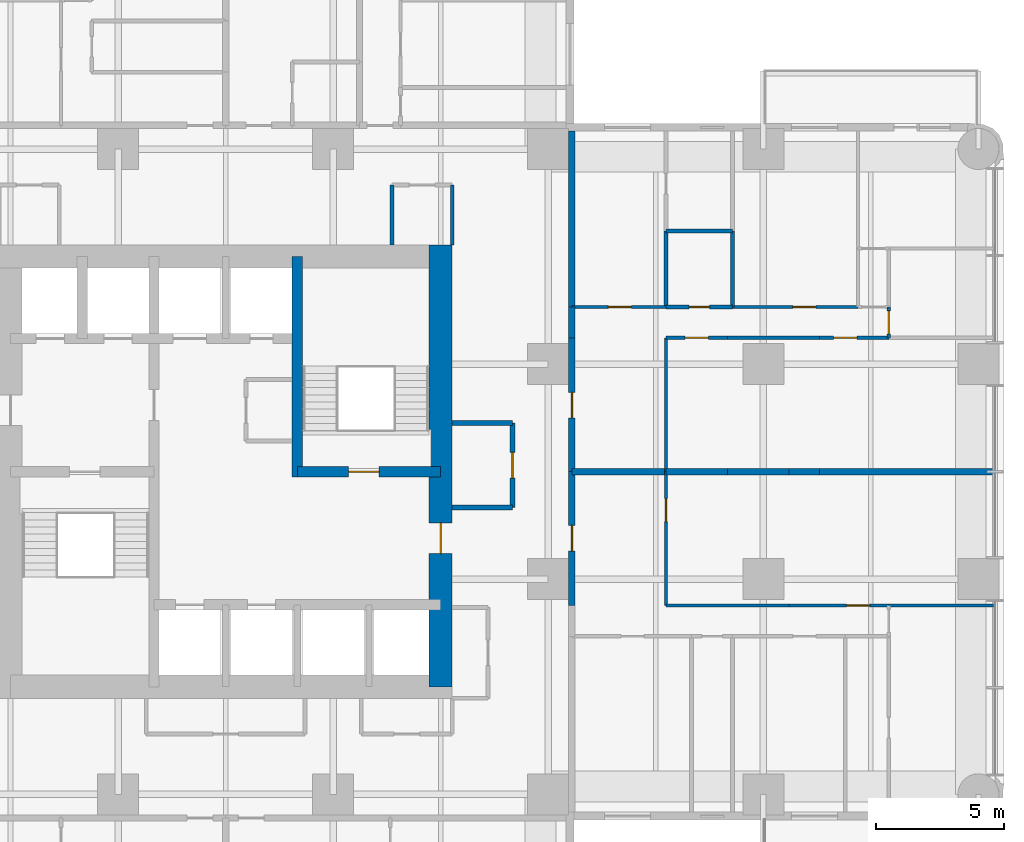
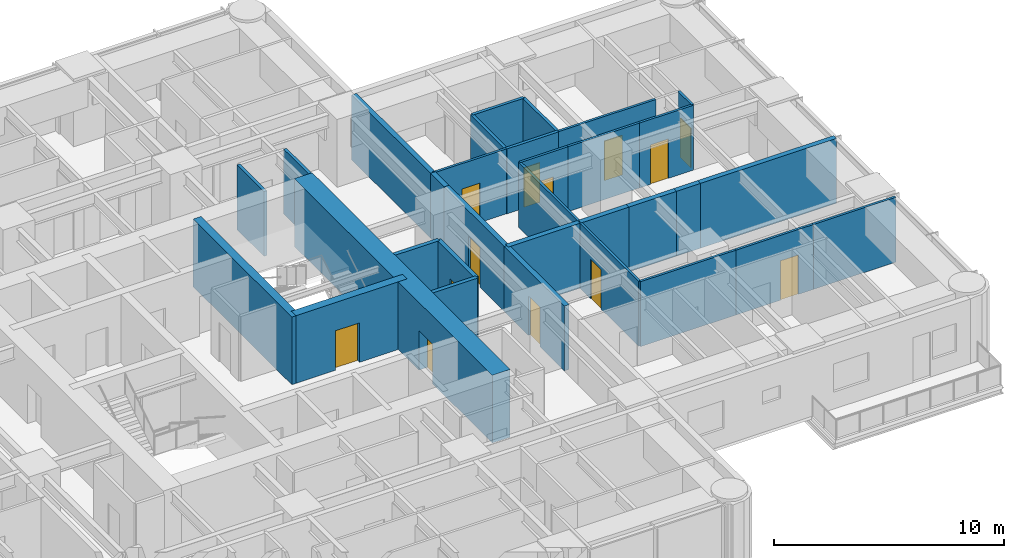
# One storey, part 10 of 15: 32 walls, 13 doors, 13 openings.
"""IFC4 building model written with IfcOpenShell, lengths in metres."""

from ifc_helpers import new_model, si_unit, direction, frame, frame_2d, origin, place, context, subcontext, project, spatial, rectangle, extrude, material, layer, layer_set, type_object, element, fill, save


model = new_model("IFC4")

# Units and contexts
model_context = context("Model", 3, precision=1e-05, world=origin(), true_north=direction((0.0, 1.0)))
body_context = subcontext(model_context, "Body", "Model", "MODEL_VIEW")
ifc_project = project(units=[si_unit("LENGTHUNIT", "METRE"), si_unit("AREAUNIT", "SQUARE_METRE"), si_unit("VOLUMEUNIT", "CUBIC_METRE"), si_unit("PLANEANGLEUNIT", "RADIAN"), si_unit("MASSUNIT", "GRAM", prefix="KILO")], contexts=[model_context])

# Site, building, storey
site_placement = place(None, origin())
site = spatial("IfcSite", under=ifc_project, at=site_placement, CompositionType="ELEMENT")
building_placement = place(site_placement, origin())
building = spatial("IfcBuilding", under=site, at=building_placement, Name="Torre Alcanfor", CompositionType="ELEMENT")
storey_placement = place(building_placement, frame((0.0, 0.0, 148.5)))
storey = spatial("IfcBuildingStorey", under=building, at=storey_placement, Name="L38", CompositionType="ELEMENT", Elevation=148.5)

# Wall, opening, door
ifc_material_1 = material(Name="Concrete block masonry, hollow blocks NMX-C-404 9 MPa", Category="masonry")
ifc_layer_1 = layer(ifc_material_1, 0.25)
ifc_layer_set_1 = layer_set([ifc_layer_1], Name="Apartment entrance wall 250 EI 60")
wall_type_1 = type_object("IfcWallType", Name="Apartment entrance wall 250 EI 60", PredefinedType="PARTITIONING", material=ifc_layer_set_1)
wall_1_placement = place(storey_placement, frame((42.925048828125, 34.62890625, 0.0), z_axis=(0.0, 0.0, 1.0), x_axis=(0.0, -1.0, 0.0)))
wall_1 = element("IfcWall", 1, at=wall_1_placement, inside=storey, type_object=wall_type_1, Name="Partition L38-CORR / L38-E1-ZAG", PredefinedType="PARTITIONING", context=body_context, shape_type="SweptSolid", body=[
    extrude(rectangle(XDim=5.22900390625, YDim=0.25, at=frame_2d((2.614501953125, 0.0))), origin(), (0.0, 0.0, 1.0), 3.449951171875),
])
opening_1_placement = place(wall_1_placement, frame((2.12890625, 0.0, 0.0)))
opening_1 = element("IfcOpeningElement", 2, at=opening_1_placement, cuts=wall_1, Name="Opening D-A1", PredefinedType="OPENING", context=body_context, shape_type="SweptSolid", body=[
    extrude(rectangle(XDim=1.0, YDim=2.10009765625, at=frame_2d((0.5, 1.050048828125))), frame((0.0, 0.135009765625, 0.0), z_axis=(0.0, -1.0, 0.0), x_axis=(1.0, 0.0, 0.0)), (0.0, 0.0, 1.0), 0.27001953125),
])
ifc_material_2 = material(Name="Galvanised steel sheet ASTM A653", Category="steel")
door_type_1 = type_object("IfcDoorType", Name="Apartment entrance door FD60 1000x2100", OperationType="SINGLE_SWING_LEFT", PredefinedType="DOOR", material=ifc_material_2)
door_1_placement = place(opening_1_placement, origin())
door_1 = element("IfcDoor", 3, at=door_1_placement, inside=storey, type_object=door_type_1, Name="Apartment entrance L38-E1", OperationType="SINGLE_SWING_RIGHT", OverallHeight=2.10009765625, OverallWidth=1.0, PredefinedType="DOOR", context=body_context, shape_type="SweptSolid", body=[
    extrude(rectangle(XDim=1.0, YDim=2.10009765625, at=frame_2d((0.5, 1.050048828125))), frame((0.0, 0.02490234375, 0.0), z_axis=(0.0, -1.0, 0.0), x_axis=(1.0, 0.0, 0.0)), (0.0, 0.0, 1.0), 0.050048828125),
])
fill(opening_1, door_1)

# Walls
wall_2_placement = place(storey_placement, frame((42.925048828125, 35.8291015625, 0.0), z_axis=(0.0, 0.0, 1.0), x_axis=(0.0, -1.0, 0.0)))
element("IfcWall", 4, at=wall_2_placement, inside=storey, type_object=wall_type_1, Name="Partition L38-CORR / L38-E1-HALL", PredefinedType="PARTITIONING", context=body_context, shape_type="SweptSolid", body=[
    extrude(rectangle(XDim=1.2001953125, YDim=0.25, at=frame_2d((0.60009765625, 0.0))), origin(), (0.0, 0.0, 1.0), 3.449951171875),
])
wall_3_placement = place(storey_placement, frame((42.925048828125, 42.699951171875, 0.0), z_axis=(0.0, 0.0, 1.0), x_axis=(0.0, -1.0, 0.0)))
element("IfcWall", 5, at=wall_3_placement, inside=storey, type_object=wall_type_1, Name="Partition L38-CORR / L38-E1-SERV", PredefinedType="PARTITIONING", context=body_context, shape_type="SweptSolid", body=[
    extrude(rectangle(XDim=6.870849609375, YDim=0.25, at=frame_2d((3.435546875, 0.0))), origin(), (0.0, 0.0, 1.0), 3.449951171875),
])

# Wall, opening, door
wall_4_placement = place(storey_placement, frame((42.925048828125, 29.39990234375, 0.0), z_axis=(0.0, 0.0, 1.0), x_axis=(0.0, -1.0, 0.0)))
wall_4 = element("IfcWall", 6, at=wall_4_placement, inside=storey, type_object=wall_type_1, Name="Partition L38-CORR / L38-E2-ZAG", PredefinedType="PARTITIONING", context=body_context, shape_type="SweptSolid", body=[
    extrude(rectangle(XDim=5.22900390625, YDim=0.25, at=frame_2d((2.614501953125, 0.0))), origin(), (0.0, 0.0, 1.0), 3.449951171875),
])
opening_2_placement = place(wall_4_placement, frame((2.10009765625, 0.0, 0.0)))
opening_2 = element("IfcOpeningElement", 7, at=opening_2_placement, cuts=wall_4, Name="Opening D-A1", PredefinedType="OPENING", context=body_context, shape_type="SweptSolid", body=[
    extrude(rectangle(XDim=1.0, YDim=2.10009765625, at=frame_2d((0.5, 1.050048828125))), frame((0.0, 0.135009765625, 0.0), z_axis=(0.0, -1.0, 0.0), x_axis=(1.0, 0.0, 0.0)), (0.0, 0.0, 1.0), 0.27001953125),
])
door_2_placement = place(opening_2_placement, origin())
door_2 = element("IfcDoor", 8, at=door_2_placement, inside=storey, type_object=door_type_1, Name="Apartment entrance L38-E2", OperationType="SINGLE_SWING_LEFT", OverallHeight=2.10009765625, OverallWidth=1.0, PredefinedType="DOOR", context=body_context, shape_type="SweptSolid", body=[
    extrude(rectangle(XDim=1.0, YDim=2.10009765625, at=frame_2d((0.5, 1.050048828125))), frame((0.0, 0.02490234375, 0.0), z_axis=(0.0, -1.0, 0.0), x_axis=(1.0, 0.0, 0.0)), (0.0, 0.0, 1.0), 0.050048828125),
])
fill(opening_2, door_2)

# Wall
ifc_material_3 = material(Name="Gypsum board on steel studs", Category="steel")
ifc_layer_2 = layer(ifc_material_3, 0.1201171875)
ifc_layer_set_2 = layer_set([ifc_layer_2], Name="Apartment partition 120")
wall_type_2 = type_object("IfcWallType", Name="Apartment partition 120", PredefinedType="PARTITIONING", material=ifc_layer_set_2)
wall_5_placement = place(storey_placement, frame((46.60009765625, 29.39990234375, 0.0), z_axis=(0.0, 0.0, 1.0), x_axis=(0.0, 1.0, 0.0)))
element("IfcWall", 9, at=wall_5_placement, inside=storey, type_object=wall_type_2, Name="Partition L38-E1-ZAG / L38-E1-LAUND", PredefinedType="PARTITIONING", context=body_context, shape_type="SweptSolid", body=[
    extrude(rectangle(XDim=5.22900390625, YDim=0.1201171875, at=frame_2d((2.614501953125, 0.0))), origin(), (0.0, 0.0, 1.0), 3.449951171875),
])

# Wall, opening, door
wall_6_placement = place(storey_placement, frame((49.0, 34.62890625, 0.0), z_axis=(0.0, 0.0, 1.0), x_axis=(-1.0, 0.0, 0.0)))
wall_6 = element("IfcWall", 10, at=wall_6_placement, inside=storey, type_object=wall_type_2, Name="Partition L38-E1-LAUND / L38-E1-HALL", PredefinedType="PARTITIONING", context=body_context, shape_type="SweptSolid", body=[
    extrude(rectangle(XDim=2.39990234375, YDim=0.1201171875, at=frame_2d((1.199951171875, 0.0))), origin(), (0.0, 0.0, 1.0), 3.449951171875),
])
opening_3_placement = place(wall_6_placement, frame((0.75, 0.0, 0.0)))
opening_3 = element("IfcOpeningElement", 11, at=opening_3_placement, cuts=wall_6, Name="Opening D-R1", PredefinedType="OPENING", context=body_context, shape_type="SweptSolid", body=[
    extrude(rectangle(XDim=0.89990234375, YDim=2.10009765625, at=frame_2d((0.449951171875, 1.050048828125))), frame((0.0, 0.070068359375, 0.0), z_axis=(0.0, -1.0, 0.0), x_axis=(1.0, 0.0, 0.0)), (0.0, 0.0, 1.0), 0.14013671875),
])
ifc_material_4 = material(Name="Timber", Category="wood")
door_type_2 = type_object("IfcDoorType", Name="Internal door 900x2100", OperationType="SINGLE_SWING_LEFT", PredefinedType="DOOR", material=ifc_material_4)
door_3_placement = place(opening_3_placement, origin())
door_3 = element("IfcDoor", 12, at=door_3_placement, inside=storey, type_object=door_type_2, Name="Door L38-E1 laund", OperationType="SINGLE_SWING_LEFT", OverallHeight=2.10009765625, OverallWidth=0.89990234375, PredefinedType="DOOR", context=body_context, shape_type="SweptSolid", body=[
    extrude(rectangle(XDim=0.89990234375, YDim=2.10009765625, at=frame_2d((0.449951171875, 1.050048828125))), frame((0.0, 0.02490234375, 0.0), z_axis=(0.0, -1.0, 0.0), x_axis=(1.0, 0.0, 0.0)), (0.0, 0.0, 1.0), 0.050048828125),
])
fill(opening_3, door_3)

# Wall
wall_7_placement = place(storey_placement, frame((52.60009765625, 34.62890625, 0.0), z_axis=(0.0, 0.0, 1.0), x_axis=(-1.0, 0.0, 0.0)))
element("IfcWall", 13, at=wall_7_placement, inside=storey, type_object=wall_type_2, Name="Partition L38-E1-KITCHEN / L38-E1-HALL", PredefinedType="PARTITIONING", context=body_context, shape_type="SweptSolid", body=[
    extrude(rectangle(XDim=3.60009765625, YDim=0.1201171875, at=frame_2d((1.800048828125, 0.0))), origin(), (0.0, 0.0, 1.0), 3.449951171875),
])

# Wall, opening, door
wall_8_placement = place(storey_placement, frame((55.300048828125, 34.62890625, 0.0), z_axis=(0.0, 0.0, 1.0), x_axis=(-1.0, 0.0, 0.0)))
wall_8 = element("IfcWall", 14, at=wall_8_placement, inside=storey, type_object=wall_type_2, Name="Partition L38-E1-LIVING / L38-E1-HALL", PredefinedType="PARTITIONING", context=body_context, shape_type="SweptSolid", body=[
    extrude(rectangle(XDim=2.699951171875, YDim=0.1201171875, at=frame_2d((1.35009765625, 0.0))), origin(), (0.0, 0.0, 1.0), 3.449951171875),
])
opening_4_placement = place(wall_8_placement, frame((1.25, 0.0, 0.0)))
opening_4 = element("IfcOpeningElement", 15, at=opening_4_placement, cuts=wall_8, Name="Opening D-R1", PredefinedType="OPENING", context=body_context, shape_type="SweptSolid", body=[
    extrude(rectangle(XDim=0.89990234375, YDim=2.10009765625, at=frame_2d((0.449951171875, 1.050048828125))), frame((0.0, 0.070068359375, 0.0), z_axis=(0.0, -1.0, 0.0), x_axis=(1.0, 0.0, 0.0)), (0.0, 0.0, 1.0), 0.14013671875),
])
door_4_placement = place(opening_4_placement, origin())
door_4 = element("IfcDoor", 16, at=door_4_placement, inside=storey, type_object=door_type_2, Name="Door L38-E1 living", OperationType="SINGLE_SWING_RIGHT", OverallHeight=2.10009765625, OverallWidth=0.89990234375, PredefinedType="DOOR", context=body_context, shape_type="SweptSolid", body=[
    extrude(rectangle(XDim=0.89990234375, YDim=2.10009765625, at=frame_2d((0.449951171875, 1.050048828125))), frame((0.0, 0.02490234375, 0.0), z_axis=(0.0, -1.0, 0.0), x_axis=(1.0, 0.0, 0.0)), (0.0, 0.0, 1.0), 0.050048828125),
])
fill(opening_4, door_4)

wall_9_placement = place(storey_placement, frame((46.60009765625, 35.8291015625, 0.0), z_axis=(0.0, 0.0, 1.0), x_axis=(-1.0, 0.0, 0.0)))
wall_9 = element("IfcWall", 17, at=wall_9_placement, inside=storey, type_object=wall_type_2, Name="Partition L38-E1-HALL / L38-E1-SERV", PredefinedType="PARTITIONING", context=body_context, shape_type="SweptSolid", body=[
    extrude(rectangle(XDim=3.675048828125, YDim=0.1201171875, at=frame_2d((1.83740234375, 0.0))), origin(), (0.0, 0.0, 1.0), 3.449951171875),
])
opening_5_placement = place(wall_9_placement, frame((1.35009765625, 0.0, 0.0)))
opening_5 = element("IfcOpeningElement", 18, at=opening_5_placement, cuts=wall_9, Name="Opening D-R1", PredefinedType="OPENING", context=body_context, shape_type="SweptSolid", body=[
    extrude(rectangle(XDim=0.89990234375, YDim=2.10009765625, at=frame_2d((0.449951171875, 1.050048828125))), frame((0.0, 0.070068359375, 0.0), z_axis=(0.0, -1.0, 0.0), x_axis=(1.0, 0.0, 0.0)), (0.0, 0.0, 1.0), 0.14013671875),
])
door_5_placement = place(opening_5_placement, frame((0.89990234375, 0.0, 0.0), z_axis=(0.0, 0.0, 1.0), x_axis=(-1.0, 0.0, 0.0)))
door_5 = element("IfcDoor", 19, at=door_5_placement, inside=storey, type_object=door_type_2, Name="Door L38-E1 serv", OperationType="SINGLE_SWING_RIGHT", OverallHeight=2.10009765625, OverallWidth=0.89990234375, PredefinedType="DOOR", context=body_context, shape_type="SweptSolid", body=[
    extrude(rectangle(XDim=0.89990234375, YDim=2.10009765625, at=frame_2d((0.449951171875, 1.050048828125))), frame((0.0, 0.025146484375, 0.0), z_axis=(0.0, -1.0, 0.0), x_axis=(1.0, 0.0, 0.0)), (0.0, 0.0, 1.0), 0.050048828125),
])
fill(opening_5, door_5)

wall_10_placement = place(storey_placement, frame((54.10009765625, 35.8291015625, 0.0), z_axis=(0.0, 0.0, 1.0), x_axis=(-1.0, 0.0, 0.0)))
wall_10 = element("IfcWall", 20, at=wall_10_placement, inside=storey, type_object=wall_type_2, Name="Partition L38-E1-HALL / L38-E1-BED3", PredefinedType="PARTITIONING", context=body_context, shape_type="SweptSolid", body=[
    extrude(rectangle(XDim=4.900146484375, YDim=0.1201171875, at=frame_2d((2.4501953125, 0.0))), origin(), (0.0, 0.0, 1.0), 3.449951171875),
])
opening_6_placement = place(wall_10_placement, frame((1.64990234375, 0.0, 0.0)))
opening_6 = element("IfcOpeningElement", 21, at=opening_6_placement, cuts=wall_10, Name="Opening D-R1", PredefinedType="OPENING", context=body_context, shape_type="SweptSolid", body=[
    extrude(rectangle(XDim=0.89990234375, YDim=2.10009765625, at=frame_2d((0.449951171875, 1.050048828125))), frame((0.0, 0.070068359375, 0.0), z_axis=(0.0, -1.0, 0.0), x_axis=(1.0, 0.0, 0.0)), (0.0, 0.0, 1.0), 0.14013671875),
])
door_6_placement = place(opening_6_placement, frame((0.89990234375, 0.0, 0.0), z_axis=(0.0, 0.0, 1.0), x_axis=(-1.0, 0.0, 0.0)))
door_6 = element("IfcDoor", 22, at=door_6_placement, inside=storey, type_object=door_type_2, Name="Door L38-E1 bed3", OperationType="SINGLE_SWING_RIGHT", OverallHeight=2.10009765625, OverallWidth=0.89990234375, PredefinedType="DOOR", context=body_context, shape_type="SweptSolid", body=[
    extrude(rectangle(XDim=0.89990234375, YDim=2.10009765625, at=frame_2d((0.449951171875, 1.050048828125))), frame((0.0, 0.025146484375, 0.0), z_axis=(0.0, -1.0, 0.0), x_axis=(1.0, 0.0, 0.0)), (0.0, 0.0, 1.0), 0.050048828125),
])
fill(opening_6, door_6)

wall_11_placement = place(storey_placement, frame((55.300048828125, 34.62890625, 0.0), z_axis=(0.0, 0.0, 1.0), x_axis=(0.0, 1.0, 0.0)))
wall_11 = element("IfcWall", 23, at=wall_11_placement, inside=storey, type_object=wall_type_2, Name="Partition L38-E1-HALL / L38-E1-BED2", PredefinedType="PARTITIONING", context=body_context, shape_type="SweptSolid", body=[
    extrude(rectangle(XDim=1.2001953125, YDim=0.1201171875, at=frame_2d((0.60009765625, 0.0))), origin(), (0.0, 0.0, 1.0), 3.449951171875),
])
opening_7_placement = place(wall_11_placement, frame((0.15087890625, 0.0, 0.0)))
opening_7 = element("IfcOpeningElement", 24, at=opening_7_placement, cuts=wall_11, Name="Opening D-R1", PredefinedType="OPENING", context=body_context, shape_type="SweptSolid", body=[
    extrude(rectangle(XDim=0.89990234375, YDim=2.10009765625, at=frame_2d((0.449951171875, 1.050048828125))), frame((0.0, 0.070068359375, 0.0), z_axis=(0.0, -1.0, 0.0), x_axis=(1.0, 0.0, 0.0)), (0.0, 0.0, 1.0), 0.14013671875),
])
door_7_placement = place(opening_7_placement, frame((0.89990234375, 0.0, 0.0), z_axis=(0.0, 0.0, 1.0), x_axis=(-1.0, 0.0, 0.0)))
door_7 = element("IfcDoor", 25, at=door_7_placement, inside=storey, type_object=door_type_2, Name="Door L38-E1 bed2", OperationType="SINGLE_SWING_RIGHT", OverallHeight=2.10009765625, OverallWidth=0.89990234375, PredefinedType="DOOR", context=body_context, shape_type="SweptSolid", body=[
    extrude(rectangle(XDim=0.89990234375, YDim=2.10009765625, at=frame_2d((0.449951171875, 1.050048828125))), frame((0.0, 0.025146484375, 0.0), z_axis=(0.0, -1.0, 0.0), x_axis=(1.0, 0.0, 0.0)), (0.0, 0.0, 1.0), 0.050048828125),
])
fill(opening_7, door_7)

wall_12_placement = place(storey_placement, frame((46.60009765625, 29.39990234375, 0.0), z_axis=(0.0, 0.0, 1.0), x_axis=(0.0, -1.0, 0.0)))
wall_12 = element("IfcWall", 26, at=wall_12_placement, inside=storey, type_object=wall_type_2, Name="Partition L38-E2-ZAG / L38-E2-KITCHEN", PredefinedType="PARTITIONING", context=body_context, shape_type="SweptSolid", body=[
    extrude(rectangle(XDim=5.22900390625, YDim=0.1201171875, at=frame_2d((2.614501953125, 0.0))), origin(), (0.0, 0.0, 1.0), 3.449951171875),
])
opening_8_placement = place(wall_12_placement, frame((1.050048828125, 0.0, 0.0)))
opening_8 = element("IfcOpeningElement", 27, at=opening_8_placement, cuts=wall_12, Name="Opening D-R1", PredefinedType="OPENING", context=body_context, shape_type="SweptSolid", body=[
    extrude(rectangle(XDim=0.89990234375, YDim=2.10009765625, at=frame_2d((0.449951171875, 1.050048828125))), frame((0.0, 0.070068359375, 0.0), z_axis=(0.0, -1.0, 0.0), x_axis=(1.0, 0.0, 0.0)), (0.0, 0.0, 1.0), 0.14013671875),
])
door_8_placement = place(opening_8_placement, origin())
door_8 = element("IfcDoor", 28, at=door_8_placement, inside=storey, type_object=door_type_2, Name="Door L38-E2 kitchen", OperationType="SINGLE_SWING_LEFT", OverallHeight=2.10009765625, OverallWidth=0.89990234375, PredefinedType="DOOR", context=body_context, shape_type="SweptSolid", body=[
    extrude(rectangle(XDim=0.89990234375, YDim=2.10009765625, at=frame_2d((0.449951171875, 1.050048828125))), frame((0.0, 0.02490234375, 0.0), z_axis=(0.0, -1.0, 0.0), x_axis=(1.0, 0.0, 0.0)), (0.0, 0.0, 1.0), 0.050048828125),
])
fill(opening_8, door_8)

# Wall
wall_13_placement = place(storey_placement, frame((51.39990234375, 24.1708984375, 0.0), z_axis=(0.0, 0.0, 1.0), x_axis=(-1.0, 0.0, 0.0)))
element("IfcWall", 29, at=wall_13_placement, inside=storey, type_object=wall_type_2, Name="Partition L38-E2-KITCHEN / L38-E2-HALL", PredefinedType="PARTITIONING", context=body_context, shape_type="SweptSolid", body=[
    extrude(rectangle(XDim=4.7998046875, YDim=0.1201171875, at=frame_2d((2.39990234375, 0.0))), origin(), (0.0, 0.0, 1.0), 3.449951171875),
])

# Wall, opening, door
wall_14_placement = place(storey_placement, frame((55.300048828125, 24.1708984375, 0.0), z_axis=(0.0, 0.0, 1.0), x_axis=(-1.0, 0.0, 0.0)))
wall_14 = element("IfcWall", 30, at=wall_14_placement, inside=storey, type_object=wall_type_2, Name="Partition L38-E2-LIVING / L38-E2-HALL", PredefinedType="PARTITIONING", context=body_context, shape_type="SweptSolid", body=[
    extrude(rectangle(XDim=3.900146484375, YDim=0.1201171875, at=frame_2d((1.9501953125, 0.0))), origin(), (0.0, 0.0, 1.0), 3.449951171875),
])
opening_9_placement = place(wall_14_placement, frame((0.75, 0.0, 0.0)))
opening_9 = element("IfcOpeningElement", 31, at=opening_9_placement, cuts=wall_14, Name="Opening D-R1", PredefinedType="OPENING", context=body_context, shape_type="SweptSolid", body=[
    extrude(rectangle(XDim=0.89990234375, YDim=2.10009765625, at=frame_2d((0.449951171875, 1.050048828125))), frame((0.0, 0.070068359375, 0.0), z_axis=(0.0, -1.0, 0.0), x_axis=(1.0, 0.0, 0.0)), (0.0, 0.0, 1.0), 0.14013671875),
])
door_9_placement = place(opening_9_placement, frame((0.89990234375, 0.0, 0.0), z_axis=(0.0, 0.0, 1.0), x_axis=(-1.0, 0.0, 0.0)))
door_9 = element("IfcDoor", 32, at=door_9_placement, inside=storey, type_object=door_type_2, Name="Door L38-E2 living", OperationType="SINGLE_SWING_LEFT", OverallHeight=2.10009765625, OverallWidth=0.89990234375, PredefinedType="DOOR", context=body_context, shape_type="SweptSolid", body=[
    extrude(rectangle(XDim=0.89990234375, YDim=2.10009765625, at=frame_2d((0.449951171875, 1.050048828125))), frame((0.0, 0.025146484375, 0.0), z_axis=(0.0, -1.0, 0.0), x_axis=(1.0, 0.0, 0.0)), (0.0, 0.0, 1.0), 0.050048828125),
])
fill(opening_9, door_9)

# Walls
wall_15_placement = place(storey_placement, frame((59.449951171875, 24.1708984375, 0.0), z_axis=(0.0, 0.0, 1.0), x_axis=(-1.0, 0.0, 0.0)))
element("IfcWall", 33, at=wall_15_placement, inside=storey, type_object=wall_type_2, Name="Partition L38-E2-LIVING / L38-E2-MASTER", PredefinedType="PARTITIONING", context=body_context, shape_type="SweptSolid", body=[
    extrude(rectangle(XDim=4.14990234375, YDim=0.1201171875, at=frame_2d((2.074951171875, 0.0))), origin(), (0.0, 0.0, 1.0), 3.449951171875),
])
ifc_material_5 = material(Name="Concrete f'c 70 MPa", Category="concrete")
ifc_layer_3 = layer(ifc_material_5, 0.39990234375)
ifc_layer_set_3 = layer_set([ifc_layer_3], Name="Core inner wall 400 f'c70")
wall_type_3 = type_object("IfcWallType", Name="Core inner wall 400 f'c70", PredefinedType="SHEAR", material=ifc_layer_set_3)
wall_16_placement = place(storey_placement, frame((32.199951171875, 29.199951171875, 0.0), z_axis=(0.0, 0.0, 1.0), x_axis=(0.0, 1.0, 0.0)))
element("IfcWall", 34, at=wall_16_placement, inside=storey, type_object=wall_type_3, Name="Core wall X322N L38", PredefinedType="SHEAR", context=body_context, shape_type="SweptSolid", body=[
    extrude(rectangle(XDim=8.60009765625, YDim=0.39990234375, at=frame_2d((4.300048828125, 0.0))), origin(), (0.0, 0.0, 1.0), 3.60009765625),
])

# Wall, opening, door
wall_17_placement = place(storey_placement, frame((32.199951171875, 29.39990234375, 0.0), z_axis=(0.0, 0.0, 1.0), x_axis=(1.0, 0.0, 0.0)))
wall_17 = element("IfcWall", 35, at=wall_17_placement, inside=storey, type_object=wall_type_3, Name="Core wall Y294E L38", PredefinedType="SHEAR", context=body_context, shape_type="SweptSolid", body=[
    extrude(rectangle(XDim=5.60009765625, YDim=0.39990234375, at=frame_2d((2.800048828125, 0.0))), origin(), (0.0, 0.0, 1.0), 3.60009765625),
])
opening_10_placement = place(wall_17_placement, frame((2.0, 0.0, 0.0)))
opening_10 = element("IfcOpeningElement", 36, at=opening_10_placement, cuts=wall_17, Name="Opening D-S2", PredefinedType="OPENING", context=body_context, shape_type="SweptSolid", body=[
    extrude(rectangle(XDim=1.199951171875, YDim=2.10009765625, at=frame_2d((0.60009765625, 1.050048828125))), frame((0.0, 0.2099609375, 0.0), z_axis=(0.0, -1.0, 0.0), x_axis=(1.0, 0.0, 0.0)), (0.0, 0.0, 1.0), 0.419921875),
])
ifc_material_6 = material(Name="Galvanised steel sheet ASTM A653", Category="steel")
door_type_3 = type_object("IfcDoorType", Name="Stair enclosure door FD120 1200x2100", OperationType="SINGLE_SWING_LEFT", PredefinedType="DOOR", material=ifc_material_6)
door_10_placement = place(opening_10_placement, origin())
door_10 = element("IfcDoor", 37, at=door_10_placement, inside=storey, type_object=door_type_3, Name="Stair S2 door L38", OperationType="SINGLE_SWING_LEFT", OverallHeight=2.10009765625, OverallWidth=1.199951171875, PredefinedType="DOOR", context=body_context, shape_type="SweptSolid", body=[
    extrude(rectangle(XDim=1.199951171875, YDim=2.10009765625, at=frame_2d((0.60009765625, 1.050048828125))), frame((0.0, 0.02490234375, 0.0), z_axis=(0.0, -1.0, 0.0), x_axis=(1.0, 0.0, 0.0)), (0.0, 0.0, 1.0), 0.050048828125),
])
fill(opening_10, door_10)

ifc_material_7 = material(Name="Concrete f'c 70 MPa", Category="concrete")
ifc_layer_4 = layer(ifc_material_7, 0.89990234375)
ifc_layer_set_4 = layer_set([ifc_layer_4], Name="Core wall 900 f'c70")
wall_type_4 = type_object("IfcWallType", Name="Core wall 900 f'c70", PredefinedType="SHEAR", material=ifc_layer_set_4)
wall_18_placement = place(storey_placement, frame((37.800048828125, 21.0, 0.0), z_axis=(0.0, 0.0, 1.0), x_axis=(0.0, 1.0, 0.0)))
wall_18 = element("IfcWall", 38, at=wall_18_placement, inside=storey, type_object=wall_type_4, Name="Core wall OUT-E L38", PredefinedType="SHEAR", context=body_context, shape_type="SweptSolid", body=[
    extrude(rectangle(XDim=17.25, YDim=0.89990234375, at=frame_2d((8.625, 0.0))), origin(), (0.0, 0.0, 1.0), 3.60009765625),
])
opening_11_placement = place(wall_18_placement, frame((5.199951171875, 0.0, 0.0)))
opening_11 = element("IfcOpeningElement", 39, at=opening_11_placement, cuts=wall_18, Name="Opening D-L1", PredefinedType="OPENING", context=body_context, shape_type="SweptSolid", body=[
    extrude(rectangle(XDim=1.199951171875, YDim=2.10009765625, at=frame_2d((0.60009765625, 1.050048828125))), frame((0.0, 0.4599609375, 0.0), z_axis=(0.0, -1.0, 0.0), x_axis=(1.0, 0.0, 0.0)), (0.0, 0.0, 1.0), 0.919921875),
])
ifc_material_8 = material(Name="Galvanised steel sheet ASTM A653", Category="steel")
door_type_4 = type_object("IfcDoorType", Name="Lobby door FD120 1200x2100", OperationType="SINGLE_SWING_LEFT", PredefinedType="DOOR", material=ifc_material_8)
door_11_placement = place(opening_11_placement, origin())
door_11 = element("IfcDoor", 40, at=door_11_placement, inside=storey, type_object=door_type_4, Name="Lift lobby entrance door L38", OperationType="SINGLE_SWING_LEFT", OverallHeight=2.10009765625, OverallWidth=1.199951171875, PredefinedType="DOOR", context=body_context, shape_type="SweptSolid", body=[
    extrude(rectangle(XDim=1.199951171875, YDim=2.10009765625, at=frame_2d((0.60009765625, 1.050048828125))), frame((0.0, 0.02490234375, 0.0), z_axis=(0.0, -1.0, 0.0), x_axis=(1.0, 0.0, 0.0)), (0.0, 0.0, 1.0), 0.050048828125),
])
fill(opening_11, door_11)

# Walls
ifc_material_9 = material(Name="Concrete block masonry, hollow blocks NMX-C-404 9 MPa", Category="masonry")
ifc_layer_5 = layer(ifc_material_9, 0.25)
ifc_layer_set_5 = layer_set([ifc_layer_5], Name="Party wall 250 EI 60")
wall_type_5 = type_object("IfcWallType", Name="Party wall 250 EI 60", PredefinedType="PARTITIONING", material=ifc_layer_set_5)
wall_19_placement = place(storey_placement, frame((42.925048828125, 29.39990234375, 0.0), z_axis=(0.0, 0.0, 1.0), x_axis=(1.0, 0.0, 0.0)))
element("IfcWall", 41, at=wall_19_placement, inside=storey, type_object=wall_type_5, Name="Partition L38-E1-ZAG / L38-E2-ZAG", PredefinedType="PARTITIONING", context=body_context, shape_type="SweptSolid", body=[
    extrude(rectangle(XDim=3.675048828125, YDim=0.25, at=frame_2d((1.83740234375, 0.0))), origin(), (0.0, 0.0, 1.0), 3.449951171875),
])
for number, where, z_axis, x_axis, name in (
    (42, (46.60009765625, 29.39990234375, 0.0), (0.0, 0.0, 1.0), (1.0, 0.0, 0.0), "Partition L38-E1-LAUND / L38-E2-KITCHEN"),
    (43, (49.0, 29.39990234375, 0.0), (0.0, 0.0, 1.0), (1.0, 0.0, 0.0), "Partition L38-E1-KITCHEN / L38-E2-KITCHEN"),
):
    element("IfcWall", number, at=place(storey_placement, frame(where, z_axis=z_axis, x_axis=x_axis)), inside=storey, type_object=wall_type_5, Name=name, PredefinedType="PARTITIONING", context=body_context, shape_type="SweptSolid", body=[
        extrude(rectangle(XDim=2.39990234375, YDim=0.25, at=frame_2d((1.199951171875, 0.0))), origin(), (0.0, 0.0, 1.0), 3.449951171875),
    ])
wall_20_placement = place(storey_placement, frame((51.39990234375, 29.39990234375, 0.0), z_axis=(0.0, 0.0, 1.0), x_axis=(1.0, 0.0, 0.0)))
element("IfcWall", 44, at=wall_20_placement, inside=storey, type_object=wall_type_5, Name="Partition L38-E1-KITCHEN / L38-E2-LIVING", PredefinedType="PARTITIONING", context=body_context, shape_type="SweptSolid", body=[
    extrude(rectangle(XDim=1.2001953125, YDim=0.25, at=frame_2d((0.60009765625, 0.0))), origin(), (0.0, 0.0, 1.0), 3.449951171875),
])
wall_21_placement = place(storey_placement, frame((52.60009765625, 29.39990234375, 0.0), z_axis=(0.0, 0.0, 1.0), x_axis=(1.0, 0.0, 0.0)))
element("IfcWall", 45, at=wall_21_placement, inside=storey, type_object=wall_type_5, Name="Partition L38-E1-LIVING / L38-E2-LIVING", PredefinedType="PARTITIONING", context=body_context, shape_type="SweptSolid", body=[
    extrude(rectangle(XDim=6.849853515625, YDim=0.25, at=frame_2d((3.4248046875, 0.0))), origin(), (0.0, 0.0, 1.0), 3.449951171875),
])
ifc_material_10 = material(Name="Concrete block masonry, hollow blocks NMX-C-404 9 MPa", Category="masonry")
ifc_layer_6 = layer(ifc_material_10, 0.199951171875)
ifc_layer_set_6 = layer_set([ifc_layer_6], Name="Plant room wall 200 EI 60")
wall_type_6 = type_object("IfcWallType", Name="Plant room wall 200 EI 60", PredefinedType="PARTITIONING", material=ifc_layer_set_6)
wall_22_placement = place(storey_placement, frame((38.25, 28.0, 0.0), z_axis=(0.0, 0.0, 1.0), x_axis=(1.0, 0.0, 0.0)))
element("IfcWall", 46, at=wall_22_placement, inside=storey, type_object=wall_type_6, Name="Partition L38-CORR / L38-G04", PredefinedType="PARTITIONING", context=body_context, shape_type="SweptSolid", body=[
    extrude(rectangle(XDim=2.35009765625, YDim=0.199951171875, at=frame_2d((1.175048828125, 0.0))), origin(), (0.0, 0.0, 1.0), 3.449951171875),
])

# Wall, opening, door
wall_23_placement = place(storey_placement, frame((40.60009765625, 28.0, 0.0), z_axis=(0.0, 0.0, 1.0), x_axis=(0.0, 1.0, 0.0)))
wall_23 = element("IfcWall", 47, at=wall_23_placement, inside=storey, type_object=wall_type_6, Name="Partition L38-CORR / L38-G04", PredefinedType="PARTITIONING", context=body_context, shape_type="SweptSolid", body=[
    extrude(rectangle(XDim=3.300048828125, YDim=0.199951171875, at=frame_2d((1.64990234375, 0.0))), origin(), (0.0, 0.0, 1.0), 3.449951171875),
])
opening_12_placement = place(wall_23_placement, frame((1.14990234375, 0.0, 0.0)))
opening_12 = element("IfcOpeningElement", 48, at=opening_12_placement, cuts=wall_23, Name="Opening D-K1", PredefinedType="OPENING", context=body_context, shape_type="SweptSolid", body=[
    extrude(rectangle(XDim=1.0, YDim=2.10009765625, at=frame_2d((0.5, 1.050048828125))), frame((0.0, 0.10986328125, 0.0), z_axis=(0.0, -1.0, 0.0), x_axis=(1.0, 0.0, 0.0)), (0.0, 0.0, 1.0), 0.219970703125),
])
ifc_material_11 = material(Name="Galvanised steel sheet ASTM A653", Category="steel")
door_type_5 = type_object("IfcDoorType", Name="Core room door FD60 1000x2100", OperationType="SINGLE_SWING_LEFT", PredefinedType="DOOR", material=ifc_material_11)
door_12_placement = place(opening_12_placement, origin())
door_12 = element("IfcDoor", 49, at=door_12_placement, inside=storey, type_object=door_type_5, Name="Door L38-G04 refuse and recycling store", OperationType="SINGLE_SWING_LEFT", OverallHeight=2.10009765625, OverallWidth=1.0, PredefinedType="DOOR", context=body_context, shape_type="SweptSolid", body=[
    extrude(rectangle(XDim=1.0, YDim=2.10009765625, at=frame_2d((0.5, 1.050048828125))), frame((0.0, 0.02490234375, 0.0), z_axis=(0.0, -1.0, 0.0), x_axis=(1.0, 0.0, 0.0)), (0.0, 0.0, 1.0), 0.050048828125),
])
fill(opening_12, door_12)

# Walls
wall_24_placement = place(storey_placement, frame((40.60009765625, 31.300048828125, 0.0), z_axis=(0.0, 0.0, 1.0), x_axis=(-1.0, 0.0, 0.0)))
element("IfcWall", 50, at=wall_24_placement, inside=storey, type_object=wall_type_6, Name="Partition L38-CORR / L38-G04", PredefinedType="PARTITIONING", context=body_context, shape_type="SweptSolid", body=[
    extrude(rectangle(XDim=2.35009765625, YDim=0.199951171875, at=frame_2d((1.175048828125, 0.0))), origin(), (0.0, 0.0, 1.0), 3.449951171875),
])
ifc_material_12 = material(Name="Concrete block masonry, hollow blocks NMX-C-404 9 MPa", Category="masonry")
ifc_layer_7 = layer(ifc_material_12, 0.14990234375)
ifc_layer_set_7 = layer_set([ifc_layer_7], Name="Residents' room partition 150")
wall_type_7 = type_object("IfcWallType", Name="Residents' room partition 150", PredefinedType="PARTITIONING", material=ifc_layer_set_7)
for number, where, z_axis, x_axis, name in (
    (51, (38.25, 38.25, 0.0), (0.0, 0.0, 1.0), (0.0, 1.0, 0.0), "Partition L38-CORR / L38-G02"),
    (52, (35.89990234375, 40.60009765625, 0.0), (0.0, 0.0, 1.0), (0.0, -1.0, 0.0), "Partition L38-CORR / L38-G02"),
):
    element("IfcWall", number, at=place(storey_placement, frame(where, z_axis=z_axis, x_axis=x_axis)), inside=storey, type_object=wall_type_7, Name=name, PredefinedType="PARTITIONING", context=body_context, shape_type="SweptSolid", body=[
        extrude(rectangle(XDim=2.35009765625, YDim=0.14990234375, at=frame_2d((1.175048828125, 0.0))), origin(), (0.0, 0.0, 1.0), 3.449951171875),
    ])

# Wall, opening, door
ifc_material_13 = material(Name="Cement board on steel studs", Category="steel")
ifc_layer_8 = layer(ifc_material_13, 0.14990234375)
ifc_layer_set_8 = layer_set([ifc_layer_8], Name="Wet area partition 150")
wall_type_8 = type_object("IfcWallType", Name="Wet area partition 150", PredefinedType="PARTITIONING", material=ifc_layer_set_8)
wall_25_placement = place(storey_placement, frame((49.199951171875, 35.8291015625, 0.0), z_axis=(0.0, 0.0, 1.0), x_axis=(-1.0, 0.0, 0.0)))
wall_25 = element("IfcWall", 53, at=wall_25_placement, inside=storey, type_object=wall_type_8, Name="Partition L38-E1-HALL / L38-E1-BATH1", PredefinedType="PARTITIONING", context=body_context, shape_type="SweptSolid", body=[
    extrude(rectangle(XDim=2.599853515625, YDim=0.14990234375, at=frame_2d((1.2998046875, 0.0))), origin(), (0.0, 0.0, 1.0), 3.449951171875),
])
opening_13_placement = place(wall_25_placement, frame((0.89990234375, 0.0, 0.0)))
opening_13 = element("IfcOpeningElement", 54, at=opening_13_placement, cuts=wall_25, Name="Opening D-R2", PredefinedType="OPENING", context=body_context, shape_type="SweptSolid", body=[
    extrude(rectangle(XDim=0.800048828125, YDim=2.10009765625, at=frame_2d((0.39990234375, 1.050048828125))), frame((0.0, 0.0849609375, 0.0), z_axis=(0.0, -1.0, 0.0), x_axis=(1.0, 0.0, 0.0)), (0.0, 0.0, 1.0), 0.169921875),
])
ifc_material_14 = material(Name="Timber", Category="wood")
door_type_6 = type_object("IfcDoorType", Name="Bathroom door 800x2100", OperationType="SINGLE_SWING_LEFT", PredefinedType="DOOR", material=ifc_material_14)
door_13_placement = place(opening_13_placement, frame((0.800048828125, 0.0, 0.0), z_axis=(0.0, 0.0, 1.0), x_axis=(-1.0, 0.0, 0.0)))
door_13 = element("IfcDoor", 55, at=door_13_placement, inside=storey, type_object=door_type_6, Name="Door L38-E1 bath1", OperationType="SINGLE_SWING_RIGHT", OverallHeight=2.10009765625, OverallWidth=0.800048828125, PredefinedType="DOOR", context=body_context, shape_type="SweptSolid", body=[
    extrude(rectangle(XDim=0.800048828125, YDim=2.10009765625, at=frame_2d((0.400146484375, 1.050048828125))), frame((0.0, 0.025146484375, 0.0), z_axis=(0.0, -1.0, 0.0), x_axis=(1.0, 0.0, 0.0)), (0.0, 0.0, 1.0), 0.050048828125),
])
fill(opening_13, door_13)

# Walls
wall_26_placement = place(storey_placement, frame((46.60009765625, 35.8291015625, 0.0), z_axis=(0.0, 0.0, 1.0), x_axis=(0.0, 1.0, 0.0)))
element("IfcWall", 56, at=wall_26_placement, inside=storey, type_object=wall_type_8, Name="Partition L38-E1-SERV / L38-E1-BATH1", PredefinedType="PARTITIONING", context=body_context, shape_type="SweptSolid", body=[
    extrude(rectangle(XDim=2.970947265625, YDim=0.14990234375, at=frame_2d((1.4853515625, 0.0))), origin(), (0.0, 0.0, 1.0), 3.449951171875),
])
wall_27_placement = place(storey_placement, frame((49.199951171875, 38.800048828125, 0.0), z_axis=(0.0, 0.0, 1.0), x_axis=(-1.0, 0.0, 0.0)))
element("IfcWall", 57, at=wall_27_placement, inside=storey, type_object=wall_type_8, Name="Partition L38-E1-BATH1 / L38-E1-SBATH", PredefinedType="PARTITIONING", context=body_context, shape_type="SweptSolid", body=[
    extrude(rectangle(XDim=2.599853515625, YDim=0.14990234375, at=frame_2d((1.2998046875, 0.0))), origin(), (0.0, 0.0, 1.0), 3.449951171875),
])
wall_28_placement = place(storey_placement, frame((49.199951171875, 35.8291015625, 0.0), z_axis=(0.0, 0.0, 1.0), x_axis=(0.0, 1.0, 0.0)))
element("IfcWall", 58, at=wall_28_placement, inside=storey, type_object=wall_type_8, Name="Partition L38-E1-BATH1 / L38-E1-BED3", PredefinedType="PARTITIONING", context=body_context, shape_type="SweptSolid", body=[
    extrude(rectangle(XDim=2.970947265625, YDim=0.14990234375, at=frame_2d((1.4853515625, 0.0))), origin(), (0.0, 0.0, 1.0), 3.449951171875),
])

save(model, "model.ifc")
